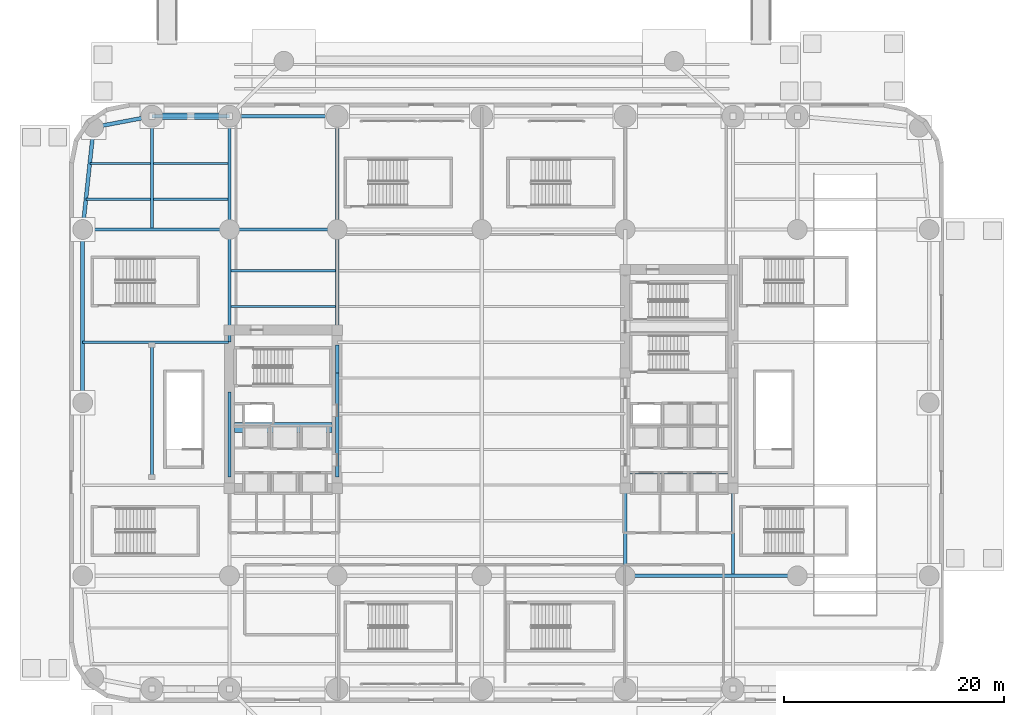
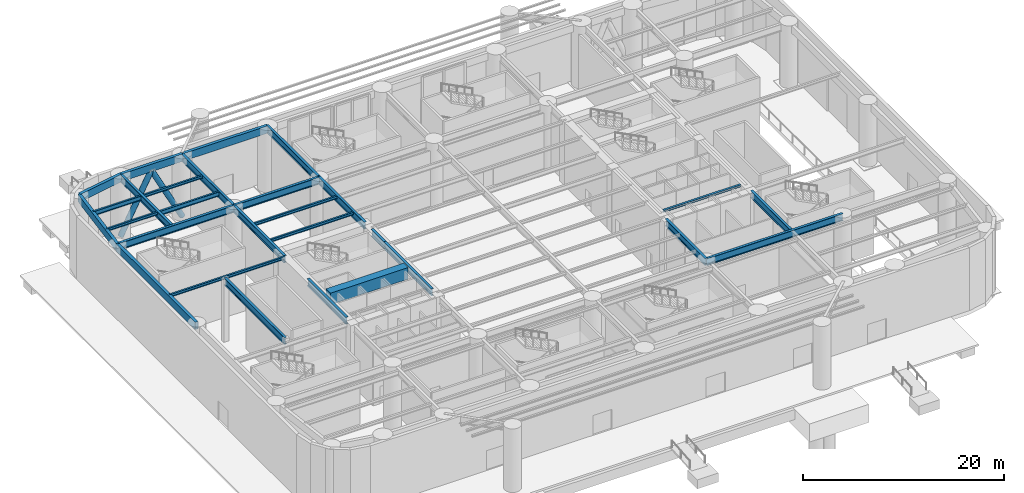
# One storey, part 4 of 25: 28 beams, 2 members.
"""IFC4 building model written with IfcOpenShell, lengths in metres."""

from ifc_helpers import new_model, si_unit, direction, frame, origin, origin_2d, place, context, subcontext, project, spatial, rectangle, hollow_rectangle, hollow_circle, i_section, extrude, material, material_profile, profile_set, type_object, element, save


model = new_model("IFC4")

# Units and contexts
model_context = context("Model", 3, precision=1e-05, world=origin(), true_north=direction((0.0, 1.0)))
body_context = subcontext(model_context, "Body", "Model", "MODEL_VIEW")
ifc_project = project(units=[si_unit("LENGTHUNIT", "METRE"), si_unit("AREAUNIT", "SQUARE_METRE"), si_unit("VOLUMEUNIT", "CUBIC_METRE"), si_unit("PLANEANGLEUNIT", "RADIAN"), si_unit("MASSUNIT", "GRAM", prefix="KILO")], contexts=[model_context])

# Site, building, storey
site_placement = place(None, origin())
site = spatial("IfcSite", under=ifc_project, at=site_placement, CompositionType="ELEMENT")
building_placement = place(site_placement, origin())
building = spatial("IfcBuilding", under=site, at=building_placement, Name="Kolvaren Arena Tower", CompositionType="ELEMENT")
storey_placement = place(building_placement, origin())
storey = spatial("IfcBuildingStorey", under=building, at=storey_placement, Name="L00", CompositionType="ELEMENT", Elevation=0.0)

# Beams
ifc_material_1 = material(Name="Steel CSA G40.21 350W", Category="steel")
ifc_material_profile_1 = material_profile(ifc_material_1, i_section(OverallWidth=0.2119140625, OverallDepth=0.54296875, WebThickness=0.01318359375, FlangeThickness=0.0244140625, FilletRadius=0.013916015625, at=origin_2d()), Name="W530x150")
ifc_profile_set_1 = profile_set([ifc_material_profile_1], Name="Steel CSA G40.21 350W")
beam_type_1 = type_object("IfcBeamType", Name="BEAM-F1", PredefinedType="BEAM", material=ifc_profile_set_1)
beam_1_placement = place(storey_placement, frame((7.64599609375, 45.75, 7.37841796875), z_axis=(1.0, 0.0, 0.0), x_axis=(0.0, 1.0, 0.0)))
element("IfcBeam", 1, at=beam_1_placement, inside=storey, type_object=beam_type_1, Name="Composite Floor Beam (L00)", PredefinedType="BEAM", context=body_context, shape_type="SweptSolid", body=[
    extrude(i_section(OverallWidth=0.2119140625, OverallDepth=0.54296875, WebThickness=0.01318359375, FlangeThickness=0.0244140625, FilletRadius=0.013916015625, at=origin_2d()), origin(), (0.0, 0.0, 1.0), 6.758056640625),
])
beam_2_placement = place(storey_placement, frame((1.84521484375, 49.0, 7.37841796875), z_axis=(1.0, 0.0, 0.0), x_axis=(0.0, 1.0, 0.0)))
element("IfcBeam", 2, at=beam_2_placement, inside=storey, type_object=beam_type_1, Name="Composite Floor Beam (L00)", PredefinedType="BEAM", context=body_context, shape_type="SweptSolid", body=[
    extrude(i_section(OverallWidth=0.2119140625, OverallDepth=0.54296875, WebThickness=0.01318359375, FlangeThickness=0.0244140625, FilletRadius=0.013916015625, at=origin_2d()), origin(), (0.0, 0.0, 1.0), 5.5087890625),
])
ifc_material_2 = material(Name="Concrete 75 MPa", Category="concrete")
ifc_material_profile_2 = material_profile(ifc_material_2, rectangle(XDim=0.89990234375, YDim=1.39990234375, at=origin_2d()), Name="RC-900x1400")
ifc_profile_set_2 = profile_set([ifc_material_profile_2], Name="Concrete 75 MPa")
beam_type_2 = type_object("IfcBeamType", Name="CB-CORE-1", PredefinedType="BEAM", material=ifc_profile_set_2)
beam_3_placement = place(storey_placement, frame((15.0, 25.0, 7.219970703125), z_axis=(1.0, 0.0, 0.0), x_axis=(0.0, 1.0, 0.0)))
element("IfcBeam", 3, at=beam_3_placement, inside=storey, type_object=beam_type_2, Name="West Core Coupling Beam (L00)", PredefinedType="BEAM", context=body_context, shape_type="SweptSolid", body=[
    extrude(rectangle(XDim=0.89990234375, YDim=1.39990234375, at=origin_2d()), origin(), (0.0, 0.0, 1.0), 8.89990234375),
])

# Members
ifc_material_3 = material(Name="Steel CSA G40.21 350WT", Category="steel")
ifc_material_profile_3 = material_profile(ifc_material_3, hollow_circle(Radius=0.304931640625, WallThickness=0.028076171875, at=origin_2d()), Name="CHS 610x28")
ifc_profile_set_3 = profile_set([ifc_material_profile_3], Name="Steel CSA G40.21 350WT")
member_type = type_object("IfcMemberType", Name="EXO-STRUT1", PredefinedType="STRUT", material=ifc_profile_set_3)
for number, where, z_axis, x_axis, name in (
    (4, (7.5, 53.300048828125, 0.050048828125), (0.462091236057, 0.0, 0.886832390906), (0.0, 1.0, 0.0), "Stilt Podium Inclined Strut 5"),
    (5, (14.550048828125, 53.300048828125, 0.050048828125), (-0.462116406691, 0.0, 0.886819275088), (0.0, -1.0, 0.0), "Stilt Podium Inclined Strut 6"),
):
    element("IfcMember", number, at=place(storey_placement, frame(where, z_axis=z_axis, x_axis=x_axis)), inside=storey, type_object=member_type, Name=name, PredefinedType="STRUT", context=body_context, shape_type="SweptSolid", body=[
        extrude(hollow_circle(Radius=0.304931640625, WallThickness=0.028076171875, at=origin_2d()), origin(), (0.0, 0.0, 1.0), 7.628173828125),
    ])

# Beams
ifc_material_profile_4 = material_profile(ifc_material_1, i_section(OverallWidth=0.2919921875, OverallDepth=0.85498046875, WebThickness=0.02099609375, FlangeThickness=0.03564453125, FilletRadius=0.01806640625, at=origin_2d()), Name="W840x299")
ifc_profile_set_4 = profile_set([ifc_material_profile_4], Name="Steel CSA G40.21 350W")
beam_type_3 = type_object("IfcBeamType", Name="GIRD-P1", PredefinedType="BEAM", material=ifc_profile_set_4)
beam_4_placement = place(storey_placement, frame((50.550048828125, 11.5, 7.222412109375), z_axis=(1.0, 0.0, 0.0), x_axis=(0.0, 1.0, 0.0)))
element("IfcBeam", 6, at=beam_4_placement, inside=storey, type_object=beam_type_3, Name="Primary Floor Girder (L00)", PredefinedType="BEAM", context=body_context, shape_type="SweptSolid", body=[
    extrude(i_section(OverallWidth=0.2919921875, OverallDepth=0.85498046875, WebThickness=0.02099609375, FlangeThickness=0.03564453125, FilletRadius=0.01806640625, at=origin_2d()), origin(), (0.0, 0.0, 1.0), 15.64990234375),
])
beam_5_placement = place(storey_placement, frame((1.199951171875, 43.0, 7.222412109375), z_axis=(1.0, 0.0, 0.0), x_axis=(0.0, 1.0, 0.0)))
element("IfcBeam", 7, at=beam_5_placement, inside=storey, type_object=beam_type_3, Name="Primary Floor Girder (L00)", PredefinedType="BEAM", context=body_context, shape_type="SweptSolid", body=[
    extrude(i_section(OverallWidth=0.2919921875, OverallDepth=0.85498046875, WebThickness=0.02099609375, FlangeThickness=0.03564453125, FilletRadius=0.01806640625, at=origin_2d()), origin(), (0.0, 0.0, 1.0), 13.35009765625),
])
beam_6_placement = place(storey_placement, frame((14.550048828125, 43.0, 7.222412109375), z_axis=(1.0, 0.0, 0.0), x_axis=(0.0, 1.0, 0.0)))
element("IfcBeam", 8, at=beam_6_placement, inside=storey, type_object=beam_type_3, Name="Primary Floor Girder (L00)", PredefinedType="BEAM", context=body_context, shape_type="SweptSolid", body=[
    extrude(i_section(OverallWidth=0.2919921875, OverallDepth=0.85498046875, WebThickness=0.02099609375, FlangeThickness=0.03564453125, FilletRadius=0.01806640625, at=origin_2d()), origin(), (0.0, 0.0, 1.0), 9.800048828125),
])
beam_7_placement = place(storey_placement, frame((7.5, 20.5, 7.222412109375), z_axis=(0.0, 1.0, 0.0), x_axis=(-1.0, 0.0, 0.0)))
element("IfcBeam", 9, at=beam_7_placement, inside=storey, type_object=beam_type_3, Name="Primary Floor Girder (L00)", PredefinedType="BEAM", context=body_context, shape_type="SweptSolid", body=[
    extrude(i_section(OverallWidth=0.2919921875, OverallDepth=0.85498046875, WebThickness=0.02099609375, FlangeThickness=0.03564453125, FilletRadius=0.01806640625, at=origin_2d()), origin(), (0.0, 0.0, 1.0), 12.0),
])
beam_8_placement = place(storey_placement, frame((7.5, 43.14599609375, 7.222412109375), z_axis=(0.0, 1.0, 0.0), x_axis=(-1.0, 0.0, 0.0)))
element("IfcBeam", 10, at=beam_8_placement, inside=storey, type_object=beam_type_3, Name="Primary Floor Girder (L00)", PredefinedType="BEAM", context=body_context, shape_type="SweptSolid", body=[
    extrude(i_section(OverallWidth=0.2919921875, OverallDepth=0.85498046875, WebThickness=0.02099609375, FlangeThickness=0.03564453125, FilletRadius=0.01806640625, at=origin_2d()), origin(), (0.0, 0.0, 1.0), 10.154052734375),
])
beam_9_placement = place(storey_placement, frame((14.550048828125, 20.5, 7.222412109375), z_axis=(0.0, 1.0, 0.0), x_axis=(-1.0, 0.0, 0.0)))
element("IfcBeam", 11, at=beam_9_placement, inside=storey, type_object=beam_type_3, Name="Primary Floor Girder (L00)", PredefinedType="BEAM", context=body_context, shape_type="SweptSolid", body=[
    extrude(i_section(OverallWidth=0.2919921875, OverallDepth=0.85498046875, WebThickness=0.02099609375, FlangeThickness=0.03564453125, FilletRadius=0.01806640625, at=origin_2d()), origin(), (0.0, 0.0, 1.0), 7.739990234375),
])
beam_10_placement = place(storey_placement, frame((14.550048828125, 32.7900390625, 7.222412109375), z_axis=(0.0, 1.0, 0.0), x_axis=(-1.0, 0.0, 0.0)))
element("IfcBeam", 12, at=beam_10_placement, inside=storey, type_object=beam_type_3, Name="Primary Floor Girder (L00)", PredefinedType="BEAM", context=body_context, shape_type="SweptSolid", body=[
    extrude(i_section(OverallWidth=0.2919921875, OverallDepth=0.85498046875, WebThickness=0.02099609375, FlangeThickness=0.03564453125, FilletRadius=0.01806640625, at=origin_2d()), origin(), (0.0, 0.0, 1.0), 10.2099609375),
])
beam_11_placement = place(storey_placement, frame((14.550048828125, 43.0, 7.222412109375), z_axis=(0.0, 1.0, 0.0), x_axis=(-1.0, 0.0, 0.0)))
element("IfcBeam", 13, at=beam_11_placement, inside=storey, type_object=beam_type_3, Name="Primary Floor Girder (L00)", PredefinedType="BEAM", context=body_context, shape_type="SweptSolid", body=[
    extrude(i_section(OverallWidth=0.2919921875, OverallDepth=0.85498046875, WebThickness=0.02099609375, FlangeThickness=0.03564453125, FilletRadius=0.01806640625, at=origin_2d()), origin(), (0.0, 0.0, 1.0), 10.300048828125),
])
beam_12_placement = place(storey_placement, frame((24.35009765625, 20.5, 7.222412109375), z_axis=(0.0, 1.0, 0.0), x_axis=(-1.0, 0.0, 0.0)))
element("IfcBeam", 14, at=beam_12_placement, inside=storey, type_object=beam_type_3, Name="Primary Floor Girder (L00)", PredefinedType="BEAM", context=body_context, shape_type="SweptSolid", body=[
    extrude(i_section(OverallWidth=0.2919921875, OverallDepth=0.85498046875, WebThickness=0.02099609375, FlangeThickness=0.03564453125, FilletRadius=0.01806640625, at=origin_2d()), origin(), (0.0, 0.0, 1.0), 9.449951171875),
])
beam_13_placement = place(storey_placement, frame((24.35009765625, 29.949951171875, 7.222412109375), z_axis=(0.0, 1.0, 0.0), x_axis=(-1.0, 0.0, 0.0)))
element("IfcBeam", 15, at=beam_13_placement, inside=storey, type_object=beam_type_3, Name="Primary Floor Girder (L00)", PredefinedType="BEAM", context=body_context, shape_type="SweptSolid", body=[
    extrude(i_section(OverallWidth=0.2919921875, OverallDepth=0.85498046875, WebThickness=0.02099609375, FlangeThickness=0.03564453125, FilletRadius=0.01806640625, at=origin_2d()), origin(), (0.0, 0.0, 1.0), 2.550048828125),
])
beam_14_placement = place(storey_placement, frame((24.35009765625, 33.85009765625, 7.222412109375), z_axis=(0.0, 1.0, 0.0), x_axis=(-1.0, 0.0, 0.0)))
element("IfcBeam", 16, at=beam_14_placement, inside=storey, type_object=beam_type_3, Name="Primary Floor Girder (L00)", PredefinedType="BEAM", context=body_context, shape_type="SweptSolid", body=[
    extrude(i_section(OverallWidth=0.2919921875, OverallDepth=0.85498046875, WebThickness=0.02099609375, FlangeThickness=0.03564453125, FilletRadius=0.01806640625, at=origin_2d()), origin(), (0.0, 0.0, 1.0), 9.14990234375),
])
beam_15_placement = place(storey_placement, frame((24.35009765625, 43.0, 7.222412109375), z_axis=(0.0, 1.0, 0.0), x_axis=(-1.0, 0.0, 0.0)))
element("IfcBeam", 17, at=beam_15_placement, inside=storey, type_object=beam_type_3, Name="Primary Floor Girder (L00)", PredefinedType="BEAM", context=body_context, shape_type="SweptSolid", body=[
    extrude(i_section(OverallWidth=0.2919921875, OverallDepth=0.85498046875, WebThickness=0.02099609375, FlangeThickness=0.03564453125, FilletRadius=0.01806640625, at=origin_2d()), origin(), (0.0, 0.0, 1.0), 10.300048828125),
])
beam_16_placement = place(storey_placement, frame((50.550048828125, 11.5, 7.222412109375), z_axis=(0.0, 1.0, 0.0), x_axis=(-1.0, 0.0, 0.0)))
element("IfcBeam", 18, at=beam_16_placement, inside=storey, type_object=beam_type_3, Name="Primary Floor Girder (L00)", PredefinedType="BEAM", context=body_context, shape_type="SweptSolid", body=[
    extrude(i_section(OverallWidth=0.2919921875, OverallDepth=0.85498046875, WebThickness=0.02099609375, FlangeThickness=0.03564453125, FilletRadius=0.01806640625, at=origin_2d()), origin(), (0.0, 0.0, 1.0), 7.949951171875),
])
beam_17_placement = place(storey_placement, frame((60.35009765625, 11.64599609375, 7.222412109375), z_axis=(0.0, 1.0, 0.0), x_axis=(-1.0, 0.0, 0.0)))
element("IfcBeam", 19, at=beam_17_placement, inside=storey, type_object=beam_type_3, Name="Primary Floor Girder (L00)", PredefinedType="BEAM", context=body_context, shape_type="SweptSolid", body=[
    extrude(i_section(OverallWidth=0.2919921875, OverallDepth=0.85498046875, WebThickness=0.02099609375, FlangeThickness=0.03564453125, FilletRadius=0.01806640625, at=origin_2d()), origin(), (0.0, 0.0, 1.0), 7.803955078125),
])
ifc_material_profile_5 = material_profile(ifc_material_1, i_section(OverallWidth=0.202880859375, OverallDepth=0.346923828125, WebThickness=0.0078125, FlangeThickness=0.013427734375, FilletRadius=0.010986328125, at=origin_2d()), Name="W360x64")
ifc_profile_set_5 = profile_set([ifc_material_profile_5], Name="Steel CSA G40.21 350W")
beam_type_4 = type_object("IfcBeamType", Name="JOIST-01", PredefinedType="JOIST", material=ifc_profile_set_5)
beam_18_placement = place(storey_placement, frame((1.199951171875, 32.75, 7.4765625), z_axis=(1.0, 0.0, 0.0), x_axis=(0.0, 1.0, 0.0)))
element("IfcBeam", 20, at=beam_18_placement, inside=storey, type_object=beam_type_4, Name="Composite Floor Joist (L00)", PredefinedType="JOIST", context=body_context, shape_type="SweptSolid", body=[
    extrude(i_section(OverallWidth=0.202880859375, OverallDepth=0.346923828125, WebThickness=0.0078125, FlangeThickness=0.013427734375, FilletRadius=0.010986328125, at=origin_2d()), origin(), (0.0, 0.0, 1.0), 13.280029296875),
])
for number, where, z_axis, x_axis, name in (
    (21, (14.696044921875, 36.0, 7.4765625), (1.0, 0.0, 0.0), (0.0, 1.0, 0.0), "Composite Floor Joist (L00)"),
    (22, (14.696044921875, 39.25, 7.4765625), (1.0, 0.0, 0.0), (0.0, 1.0, 0.0), "Composite Floor Joist (L00)"),
):
    element("IfcBeam", number, at=place(storey_placement, frame(where, z_axis=z_axis, x_axis=x_axis)), inside=storey, type_object=beam_type_4, Name=name, PredefinedType="JOIST", context=body_context, shape_type="SweptSolid", body=[
        extrude(i_section(OverallWidth=0.202880859375, OverallDepth=0.346923828125, WebThickness=0.0078125, FlangeThickness=0.013427734375, FilletRadius=0.010986328125, at=origin_2d()), origin(), (0.0, 0.0, 1.0), 9.508056640625),
    ])
beam_19_placement = place(storey_placement, frame((1.49560546875, 45.75, 7.4765625), z_axis=(1.0, 0.0, 0.0), x_axis=(0.0, 1.0, 0.0)))
element("IfcBeam", 23, at=beam_19_placement, inside=storey, type_object=beam_type_4, Name="Composite Floor Joist (L00)", PredefinedType="JOIST", context=body_context, shape_type="SweptSolid", body=[
    extrude(i_section(OverallWidth=0.202880859375, OverallDepth=0.346923828125, WebThickness=0.0078125, FlangeThickness=0.013427734375, FilletRadius=0.010986328125, at=origin_2d()), origin(), (0.0, 0.0, 1.0), 5.8583984375),
])
beam_20_placement = place(storey_placement, frame((7.64599609375, 49.0, 7.4765625), z_axis=(1.0, 0.0, 0.0), x_axis=(0.0, 1.0, 0.0)))
element("IfcBeam", 24, at=beam_20_placement, inside=storey, type_object=beam_type_4, Name="Composite Floor Joist (L00)", PredefinedType="JOIST", context=body_context, shape_type="SweptSolid", body=[
    extrude(i_section(OverallWidth=0.202880859375, OverallDepth=0.346923828125, WebThickness=0.0078125, FlangeThickness=0.013427734375, FilletRadius=0.010986328125, at=origin_2d()), origin(), (0.0, 0.0, 1.0), 6.758056640625),
])
ifc_material_profile_6 = material_profile(ifc_material_1, i_section(OverallWidth=0.25390625, OverallDepth=0.2529296875, WebThickness=0.008544921875, FlangeThickness=0.01416015625, FilletRadius=0.010009765625, at=origin_2d()), Name="W250x73")
ifc_profile_set_6 = profile_set([ifc_material_profile_6], Name="Steel CSA G40.21 350W")
beam_type_5 = type_object("IfcBeamType", Name="LINT-02", PredefinedType="LINTEL", material=ifc_profile_set_6)
beam_21_placement = place(storey_placement, frame((51.0, 20.8798828125, 7.5234375), z_axis=(1.0, 0.0, 0.0), x_axis=(0.0, 1.0, 0.0)))
element("IfcBeam", 25, at=beam_21_placement, inside=storey, type_object=beam_type_5, Name="East Lift Lobby Portal Lintel (L00)", PredefinedType="LINTEL", context=body_context, shape_type="SweptSolid", body=[
    extrude(i_section(OverallWidth=0.25390625, OverallDepth=0.2529296875, WebThickness=0.008544921875, FlangeThickness=0.01416015625, FilletRadius=0.010009765625, at=origin_2d()), origin(), (0.0, 0.0, 1.0), 8.89990234375),
])
ifc_material_profile_7 = material_profile(ifc_material_3, hollow_rectangle(XDim=0.35009765625, YDim=0.89990234375, WallThickness=0.02001953125, at=origin_2d()), Name="HSS 900x350x20")
ifc_profile_set_7 = profile_set([ifc_material_profile_7], Name="Steel CSA G40.21 350WT")
beam_type_6 = type_object("IfcBeamType", Name="SPAND-01", PredefinedType="SPANDREL", material=ifc_profile_set_7)
beam_22_placement = place(storey_placement, frame((24.35009765625, 53.300048828125, 7.199951171875), z_axis=(-1.0, 0.0, 0.0), x_axis=(0.0, -1.0, 0.0)))
element("IfcBeam", 26, at=beam_22_placement, inside=storey, type_object=beam_type_6, Name="Perimeter Spandrel Beam (L00)", PredefinedType="SPANDREL", context=body_context, shape_type="SweptSolid", body=[
    extrude(hollow_rectangle(XDim=0.35009765625, YDim=0.89990234375, WallThickness=0.02001953125, at=origin_2d()), origin(), (0.0, 0.0, 1.0), 9.800048828125),
])
beam_23_placement = place(storey_placement, frame((14.550048828125, 53.300048828125, 7.199951171875), z_axis=(-1.0, 0.0, 0.0), x_axis=(0.0, -1.0, 0.0)))
element("IfcBeam", 27, at=beam_23_placement, inside=storey, type_object=beam_type_6, Name="Perimeter Spandrel Beam (L00)", PredefinedType="SPANDREL", context=body_context, shape_type="SweptSolid", body=[
    extrude(hollow_rectangle(XDim=0.35009765625, YDim=0.89990234375, WallThickness=0.02001953125, at=origin_2d()), origin(), (0.0, 0.0, 1.0), 7.050048828125),
])
beam_24_placement = place(storey_placement, frame((7.5, 53.300048828125, 7.199951171875), z_axis=(-0.982661964955, -0.185406209796, 0.0), x_axis=(0.185406209796, -0.982661964955, 0.0)))
element("IfcBeam", 28, at=beam_24_placement, inside=storey, type_object=beam_type_6, Name="Perimeter Spandrel Beam (L00)", PredefinedType="SPANDREL", context=body_context, shape_type="SweptSolid", body=[
    extrude(hollow_rectangle(XDim=0.35009765625, YDim=0.89990234375, WallThickness=0.02001953125, at=origin_2d()), origin(), (0.0, 0.0, 1.0), 5.3935546875),
])
beam_25_placement = place(storey_placement, frame((2.199951171875, 52.300048828125, 7.199951171875), z_axis=(-0.106910051219, -0.994268696555, 0.0), x_axis=(0.994268696555, -0.106910051219, 0.0)))
element("IfcBeam", 29, at=beam_25_placement, inside=storey, type_object=beam_type_6, Name="Perimeter Spandrel Beam (L00)", PredefinedType="SPANDREL", context=body_context, shape_type="SweptSolid", body=[
    extrude(hollow_rectangle(XDim=0.35009765625, YDim=0.89990234375, WallThickness=0.02001953125, at=origin_2d()), origin(), (0.0, 0.0, 1.0), 9.353759765625),
])
beam_26_placement = place(storey_placement, frame((1.199951171875, 43.0, 7.199951171875), z_axis=(0.0, -1.0, 0.0), x_axis=(1.0, 0.0, 0.0)))
element("IfcBeam", 30, at=beam_26_placement, inside=storey, type_object=beam_type_6, Name="Perimeter Spandrel Beam (L00)", PredefinedType="SPANDREL", context=body_context, shape_type="SweptSolid", body=[
    extrude(hollow_rectangle(XDim=0.35009765625, YDim=0.89990234375, WallThickness=0.02001953125, at=origin_2d()), origin(), (0.0, 0.0, 1.0), 15.75),
])

save(model, "model.ifc")
